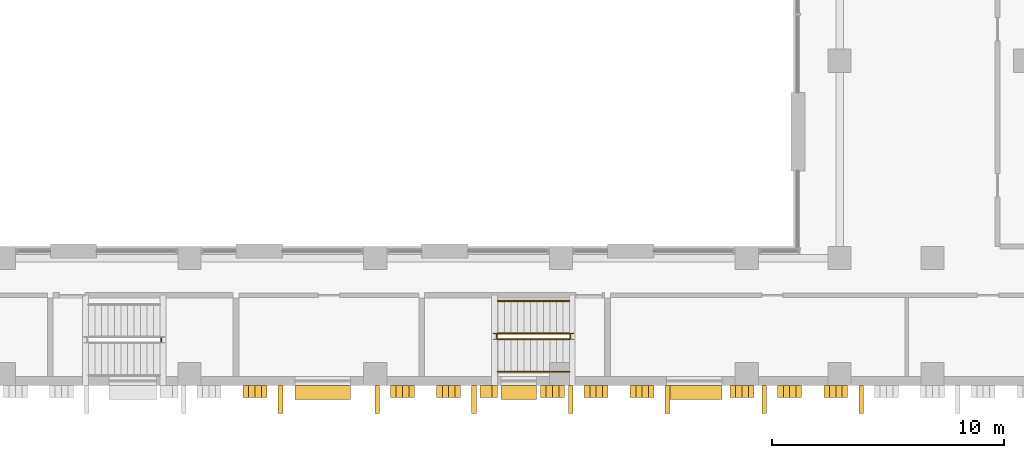
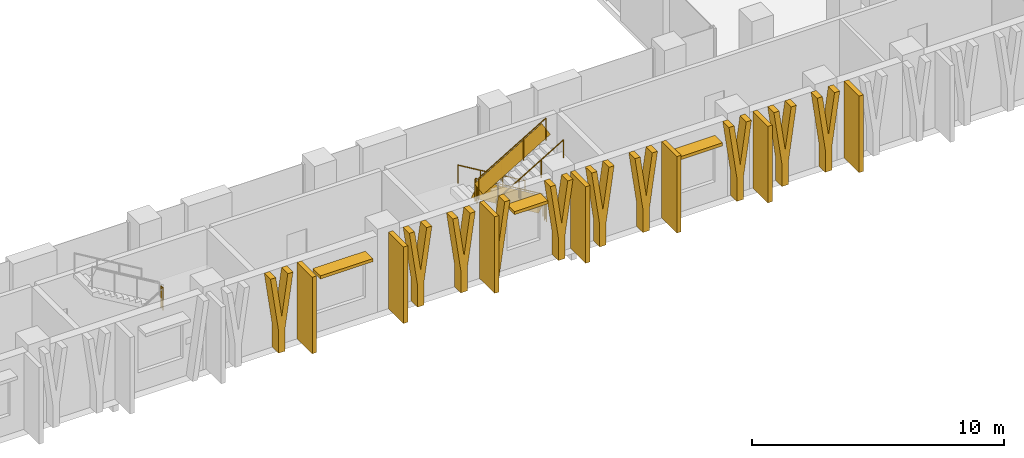
# One storey, part 20 of 25: 20 shading devices, 7 railings.
"""IFC4 building model written with IfcOpenShell, lengths in metres."""

from ifc_helpers import new_model, si_unit, direction, frame, frame_2d, origin, origin_2d, place, context, subcontext, project, spatial, polyline, rectangle, circle, outline, extrude, material, layer, layer_set, type_object, element, save


model = new_model("IFC4")

# Units and contexts
model_context = context("Model", 3, precision=1e-05, world=origin(), true_north=direction((0.0, 1.0)))
body_context = subcontext(model_context, "Body", "Model", "MODEL_VIEW")
ifc_project = project(units=[si_unit("LENGTHUNIT", "METRE"), si_unit("AREAUNIT", "SQUARE_METRE"), si_unit("VOLUMEUNIT", "CUBIC_METRE"), si_unit("PLANEANGLEUNIT", "RADIAN"), si_unit("MASSUNIT", "GRAM", prefix="KILO")], contexts=[model_context])

# Site, building, storey
site_placement = place(None, origin())
site = spatial("IfcSite", under=ifc_project, at=site_placement, CompositionType="ELEMENT")
building_placement = place(site_placement, origin())
building = spatial("IfcBuilding", under=site, at=building_placement, Name="Vidyagriha Tower", CompositionType="ELEMENT")
storey_placement = place(building_placement, frame((0.0, 0.0, 14.0)))
storey = spatial("IfcBuildingStorey", under=building, at=storey_placement, Name="L03", CompositionType="ELEMENT", Elevation=14.0)

# Shading devices
ifc_material_1 = material(Name="Precast concrete C40/50 with brick facing", Category="concrete")
ifc_layer_1 = layer(ifc_material_1, 0.14990234375)
ifc_layer_set_1 = layer_set([ifc_layer_1], Name="Precast concrete C40/50 with brick facing")
shading_device_type_1 = type_object("IfcShadingDeviceType", Name="Brick chhajja window hood", PredefinedType="AWNING", material=ifc_layer_set_1)
shading_device_1_placement = place(storey_placement, frame((-0.264892578125, -50.300048828125, 3.0)))
element("IfcShadingDevice", 1, at=shading_device_1_placement, inside=storey, type_object=shading_device_type_1, Name="Window hood L03 R06.21", PredefinedType="AWNING", context=body_context, shape_type="SweptSolid", body=[
    extrude(rectangle(XDim=2.39990234375, YDim=0.60009765625, at=origin_2d()), origin(), (0.0, 0.0, 1.0), 0.14990234375),
])
shading_device_2_placement = place(storey_placement, frame((8.175048828125, -50.300048828125, 3.0)))
element("IfcShadingDevice", 2, at=shading_device_2_placement, inside=storey, type_object=shading_device_type_1, Name="Window hood L03 R06.25", PredefinedType="AWNING", context=body_context, shape_type="SweptSolid", body=[
    extrude(rectangle(XDim=1.52001953125, YDim=0.60009765625, at=origin_2d()), origin(), (0.0, 0.0, 1.0), 0.14990234375),
])
shading_device_3_placement = place(storey_placement, frame((15.735107421875, -50.300048828125, 3.0)))
element("IfcShadingDevice", 3, at=shading_device_3_placement, inside=storey, type_object=shading_device_type_1, Name="Window hood L03 R06.29", PredefinedType="AWNING", context=body_context, shape_type="SweptSolid", body=[
    extrude(rectangle(XDim=2.39990234375, YDim=0.60009765625, at=origin_2d()), origin(), (0.0, 0.0, 1.0), 0.14990234375),
])
ifc_material_2 = material(Name="Precast concrete C40/50 with buff brick facing", Category="concrete")
ifc_layer_2 = layer(ifc_material_2, 0.300048828125)
ifc_layer_set_2 = layer_set([ifc_layer_2], Name="Precast concrete C40/50 with buff brick facing")
shading_device_type_2 = type_object("IfcShadingDeviceType", Name="Brick-faced podium blade forking 8 degrees", PredefinedType="USERDEFINED", material=ifc_layer_set_2)
for number, where, name in (
    (4, (-3.691650390625, -50.25, 0.0), "Podium blade L03 R06.3642"),
    (5, (2.660888671875, -50.25, 0.0), "Podium blade L03 R06.4278"),
    (6, (4.64501953125, -50.25, 0.0), "Podium blade L03 R06.4476"),
    (7, (9.112548828125, -50.25, 0.0), "Podium blade L03 R06.4923"),
    (8, (10.997802734375, -50.25, 0.0), "Podium blade L03 R06.5111"),
    (9, (12.98193359375, -50.25, 0.0), "Podium blade L03 R06.5310"),
    (10, (17.281005859375, -50.25, 0.0), "Podium blade L03 R06.5740"),
    (11, (19.334716796875, -50.25, 0.0), "Podium blade L03 R06.5945"),
    (12, (21.31884765625, -50.25, 0.0), "Podium blade L03 R06.6143"),
):
    element("IfcShadingDevice", number, at=place(storey_placement, frame(where)), inside=storey, type_object=shading_device_type_2, Name=name, ObjectType="BLADE FIN", PredefinedType="USERDEFINED", context=body_context, shape_type="SweptSolid", body=[
        extrude(outline(polyline([(0.665283203125, 0.0), (0.665283203125, 1.10009765625), (1.03076171875, 3.699951171875), (0.790771484375, 3.699951171875), (0.515380859375, 1.740478515625), (0.239990234375, 3.699951171875), (0.0, 3.699951171875), (0.365478515625, 1.10009765625), (0.365478515625, 0.0), (0.665283203125, 0.0)])), frame((0.0, 0.25, 0.0), z_axis=(0.0, -1.0, 0.0), x_axis=(1.0, 0.0, 0.0)), (0.0, 0.0, 1.0), 0.5),
    ])
ifc_material_3 = material(Name="Precast concrete C40/50 with buff brick facing", Category="concrete")
ifc_layer_3 = layer(ifc_material_3, 0.239990234375)
ifc_layer_set_3 = layer_set([ifc_layer_3], Name="Precast concrete C40/50 with buff brick facing")
shading_device_type_3 = type_object("IfcShadingDeviceType", Name="Brick-faced podium blade leaning 8 degrees", PredefinedType="USERDEFINED", material=ifc_layer_set_3)
shading_device_4_placement = place(storey_placement, frame((6.50390625, -50.25, 0.0)))
element("IfcShadingDevice", 13, at=shading_device_4_placement, inside=storey, type_object=shading_device_type_3, Name="Podium blade L03 R06.4648", ObjectType="BLADE FIN", PredefinedType="USERDEFINED", context=body_context, shape_type="SweptSolid", body=[
    extrude(outline(polyline([(0.0, 0.0), (0.239990234375, 0.0), (0.760009765625, 3.699951171875), (0.52001953125, 3.699951171875), (0.0, 0.0)])), frame((0.0, 0.25, 0.0), z_axis=(0.0, -1.0, 0.0), x_axis=(1.0, 0.0, 0.0)), (0.0, 0.0, 1.0), 0.5),
])
ifc_material_4 = material(Name="Precast concrete C40/50 with brick facing", Category="concrete")
ifc_layer_4 = layer(ifc_material_4, 0.199951171875)
ifc_layer_set_4 = layer_set([ifc_layer_4], Name="Precast concrete C40/50 with brick facing")
shading_device_type_4 = type_object("IfcShadingDeviceType", Name="Brick-faced solar fin 1200", PredefinedType="USERDEFINED", material=ifc_layer_set_4)
for number, where, z_axis, x_axis, name in (
    (14, (-2.084228515625, -50.0, 0.0), (0.0, 0.0, 1.0), (0.0, -1.0, 0.0), "Solar fin L03 R06.9"),
    (15, (2.084228515625, -50.0, 0.0), (0.0, 0.0, 1.0), (0.0, -1.0, 0.0), "Solar fin L03 R06.10"),
    (16, (6.252685546875, -50.0, 0.0), (0.0, 0.0, 1.0), (0.0, -1.0, 0.0), "Solar fin L03 R06.11"),
    (17, (10.421142578125, -50.0, 0.0), (0.0, 0.0, 1.0), (0.0, -1.0, 0.0), "Solar fin L03 R06.12"),
    (18, (14.589599609375, -50.0, 0.0), (0.0, 0.0, 1.0), (0.0, -1.0, 0.0), "Solar fin L03 R06.13"),
    (19, (18.7578125, -50.0, 0.0), (0.0, 0.0, 1.0), (0.0, -1.0, 0.0), "Solar fin L03 R06.14"),
    (20, (22.92626953125, -50.0, 0.0), (0.0, 0.0, 1.0), (0.0, -1.0, 0.0), "Solar fin L03 R06.15"),
):
    element("IfcShadingDevice", number, at=place(storey_placement, frame(where, z_axis=z_axis, x_axis=x_axis)), inside=storey, type_object=shading_device_type_4, Name=name, ObjectType="SOLAR FIN", PredefinedType="USERDEFINED", context=body_context, shape_type="SweptSolid", body=[
        extrude(rectangle(XDim=1.199951171875, YDim=0.199951171875, at=frame_2d((0.60009765625, 0.0))), origin(), (0.0, 0.0, 1.0), 3.699951171875),
    ])

# Railings
ifc_material_5 = material(Name="Powder coated ASTM A500 Grade C steel balustrade", Category="steel")
railing_type_1 = type_object("IfcRailingType", Name="Podium Stair Guard 1100", PredefinedType="GUARDRAIL", material=ifc_material_5)
railing_1_placement = place(storey_placement, frame((-7.22509765625, -48.10009765625, 2.0)))
element("IfcRailing", 21, at=railing_1_placement, inside=storey, type_object=railing_type_1, Name="L03 PS3 stair guard 2", PredefinedType="GUARDRAIL", context=body_context, shape_type="SweptSolid", body=[
    extrude(circle(Radius=0.02392578125, at=origin_2d()), frame((0.0, 0.0, 1.076171875), z_axis=(0.0, 1.0, 0.0), x_axis=(-1.0, 0.0, 0.0)), (0.0, 0.0, 1.0), 0.150146484375),
    extrude(circle(Radius=0.02099609375, at=origin_2d()), origin(), (0.0, 0.0, 1.0), 1.052001953125),
    extrude(circle(Radius=0.02099609375, at=origin_2d()), frame((0.0, 0.150146484375, 0.0)), (0.0, 0.0, 1.0), 1.052001953125),
    extrude(rectangle(XDim=0.010009765625, YDim=0.902099609375, at=origin_2d()), frame((0.0, 0.0, 0.551025390625), z_axis=(0.0, 1.0, 0.0), x_axis=(-1.0, 0.0, 0.0)), (0.0, 0.0, 1.0), 0.150146484375),
])
railing_2_placement = place(storey_placement, frame((10.35498046875, -47.75, 0.166748046875)))
element("IfcRailing", 22, at=railing_2_placement, inside=storey, type_object=railing_type_1, Name="L03 PS4 stair guard 1", PredefinedType="GUARDRAIL", context=body_context, shape_type="SweptSolid", body=[
    extrude(circle(Radius=0.02392578125, at=origin_2d()), frame((0.0, 0.0, 1.076171875), z_axis=(-0.859308565015, 0.0, 0.511457515432), x_axis=(0.0, -1.0, 0.0)), (0.0, 0.0, 1.0), 3.58447265625),
    extrude(circle(Radius=0.02099609375, at=origin_2d()), origin(), (0.0, 0.0, 1.0), 1.052001953125),
    extrude(circle(Radius=0.02099609375, at=origin_2d()), frame((-1.026611328125, 0.0, 0.611083984375)), (0.0, 0.0, 1.0), 1.052001953125),
    extrude(circle(Radius=0.02099609375, at=origin_2d()), frame((-2.053466796875, 0.0, 1.22216796875)), (0.0, 0.0, 1.0), 1.052001953125),
    extrude(circle(Radius=0.02099609375, at=origin_2d()), frame((-3.080078125, 0.0, 1.833251953125)), (0.0, 0.0, 1.0), 1.052001953125),
    extrude(rectangle(XDim=0.010009765625, YDim=0.775146484375, at=origin_2d()), frame((0.0, 0.0, 0.551025390625), z_axis=(-0.859308565015, 0.0, 0.511457515432), x_axis=(0.0, -1.0, 0.0)), (0.0, 0.0, 1.0), 3.58447265625),
])
railing_3_placement = place(storey_placement, frame((7.22509765625, -47.800048828125, 2.0)))
element("IfcRailing", 23, at=railing_3_placement, inside=storey, type_object=railing_type_1, Name="L03 PS4 stair guard 2", PredefinedType="GUARDRAIL", context=body_context, shape_type="SweptSolid", body=[
    extrude(circle(Radius=0.02392578125, at=origin_2d()), frame((0.0, 0.0, 1.076171875), z_axis=(0.0, -1.0, 0.0), x_axis=(1.0, 0.0, 0.0)), (0.0, 0.0, 1.0), 0.14990234375),
    extrude(circle(Radius=0.02099609375, at=origin_2d()), origin(), (0.0, 0.0, 1.0), 1.052001953125),
    extrude(circle(Radius=0.02099609375, at=origin_2d()), frame((0.0, -0.14990234375, 0.0)), (0.0, 0.0, 1.0), 1.052001953125),
    extrude(rectangle(XDim=0.010009765625, YDim=0.902099609375, at=origin_2d()), frame((0.0, 0.0, 0.551025390625), z_axis=(0.0, -1.0, 0.0), x_axis=(1.0, 0.0, 0.0)), (0.0, 0.0, 1.0), 0.14990234375),
])
railing_4_placement = place(storey_placement, frame((7.27490234375, -48.0, 2.166748046875)))
element("IfcRailing", 24, at=railing_4_placement, inside=storey, type_object=railing_type_1, Name="L03 PS4 stair guard 3", PredefinedType="GUARDRAIL", context=body_context, shape_type="SweptSolid", body=[
    extrude(circle(Radius=0.02392578125, at=origin_2d()), frame((0.0, 0.0, 1.076171875), z_axis=(0.859308565015, 0.0, 0.511457515432), x_axis=(0.0, 1.0, 0.0)), (0.0, 0.0, 1.0), 3.58447265625),
    extrude(circle(Radius=0.02099609375, at=origin_2d()), origin(), (0.0, 0.0, 1.0), 1.052001953125),
    extrude(circle(Radius=0.02099609375, at=origin_2d()), frame((1.026611328125, 0.0, 0.611083984375)), (0.0, 0.0, 1.0), 1.052001953125),
    extrude(circle(Radius=0.02099609375, at=origin_2d()), frame((2.053466796875, 0.0, 1.22216796875)), (0.0, 0.0, 1.0), 1.052001953125),
    extrude(circle(Radius=0.02099609375, at=origin_2d()), frame((3.080078125, 0.0, 1.833251953125)), (0.0, 0.0, 1.0), 1.052001953125),
    extrude(rectangle(XDim=0.010009765625, YDim=0.775146484375, at=origin_2d()), frame((0.0, 0.0, 0.551025390625), z_axis=(0.859308565015, 0.0, 0.511457515432), x_axis=(0.0, 1.0, 0.0)), (0.0, 0.0, 1.0), 3.58447265625),
])
railing_5_placement = place(storey_placement, frame((10.405029296875, -47.800048828125, 0.0)))
element("IfcRailing", 25, at=railing_5_placement, inside=storey, type_object=railing_type_1, Name="L03 PS4 stair guard 4", PredefinedType="GUARDRAIL", context=body_context, shape_type="SweptSolid", body=[
    extrude(circle(Radius=0.02392578125, at=origin_2d()), frame((0.0, 0.0, 1.076171875), z_axis=(0.0, -1.0, 0.0), x_axis=(1.0, 0.0, 0.0)), (0.0, 0.0, 1.0), 0.14990234375),
    extrude(circle(Radius=0.02099609375, at=origin_2d()), origin(), (0.0, 0.0, 1.0), 1.052001953125),
    extrude(circle(Radius=0.02099609375, at=origin_2d()), frame((0.0, -0.14990234375, 0.0)), (0.0, 0.0, 1.0), 1.052001953125),
    extrude(rectangle(XDim=0.010009765625, YDim=0.902099609375, at=origin_2d()), frame((0.0, 0.0, 0.551025390625), z_axis=(0.0, -1.0, 0.0), x_axis=(1.0, 0.0, 0.0)), (0.0, 0.0, 1.0), 0.14990234375),
])
ifc_material_6 = material(Name="Powder coated ASTM A500 Grade C steel handrail", Category="steel")
railing_type_2 = type_object("IfcRailingType", Name="Podium Stair Handrail 900", PredefinedType="HANDRAIL", material=ifc_material_6)
railing_6_placement = place(storey_placement, frame((10.35498046875, -46.35009765625, 0.166748046875)))
element("IfcRailing", 26, at=railing_6_placement, inside=storey, type_object=railing_type_2, Name="L03 PS4 stair handrail 1", PredefinedType="HANDRAIL", context=body_context, shape_type="SweptSolid", body=[
    extrude(circle(Radius=0.02392578125, at=origin_2d()), frame((0.0, 0.0, 0.8759765625), z_axis=(-0.859308565015, 0.0, 0.511457515432), x_axis=(0.0, -1.0, 0.0)), (0.0, 0.0, 1.0), 3.58447265625),
    extrude(circle(Radius=0.02099609375, at=origin_2d()), origin(), (0.0, 0.0, 1.0), 0.851806640625),
    extrude(circle(Radius=0.02099609375, at=origin_2d()), frame((-1.026611328125, 0.0, 0.611083984375)), (0.0, 0.0, 1.0), 0.851806640625),
    extrude(circle(Radius=0.02099609375, at=origin_2d()), frame((-2.053466796875, 0.0, 1.22216796875)), (0.0, 0.0, 1.0), 0.851806640625),
    extrude(circle(Radius=0.02099609375, at=origin_2d()), frame((-3.080078125, 0.0, 1.833251953125)), (0.0, 0.0, 1.0), 0.851806640625),
])
railing_7_placement = place(storey_placement, frame((7.27490234375, -49.39990234375, 2.166748046875)))
element("IfcRailing", 27, at=railing_7_placement, inside=storey, type_object=railing_type_2, Name="L03 PS4 stair handrail 2", PredefinedType="HANDRAIL", context=body_context, shape_type="SweptSolid", body=[
    extrude(circle(Radius=0.02392578125, at=origin_2d()), frame((0.0, 0.0, 0.8759765625), z_axis=(0.859308565015, 0.0, 0.511457515432), x_axis=(0.0, 1.0, 0.0)), (0.0, 0.0, 1.0), 3.58447265625),
    extrude(circle(Radius=0.02099609375, at=origin_2d()), origin(), (0.0, 0.0, 1.0), 0.851806640625),
    extrude(circle(Radius=0.02099609375, at=origin_2d()), frame((1.026611328125, 0.0, 0.611083984375)), (0.0, 0.0, 1.0), 0.851806640625),
    extrude(circle(Radius=0.02099609375, at=origin_2d()), frame((2.053466796875, 0.0, 1.22216796875)), (0.0, 0.0, 1.0), 0.851806640625),
    extrude(circle(Radius=0.02099609375, at=origin_2d()), frame((3.080078125, 0.0, 1.833251953125)), (0.0, 0.0, 1.0), 0.851806640625),
])

save(model, "model.ifc")
